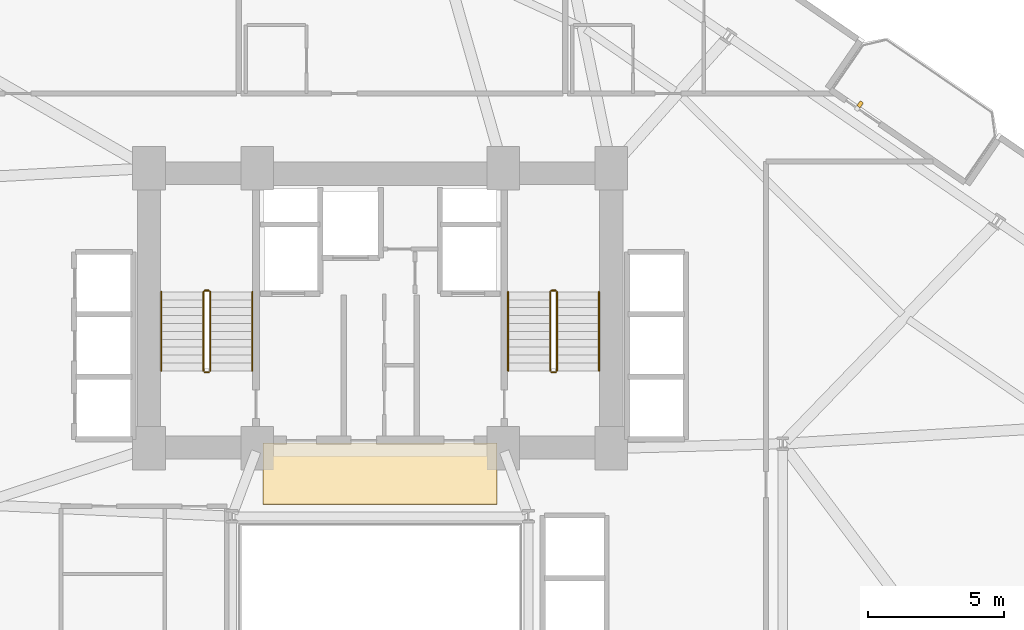
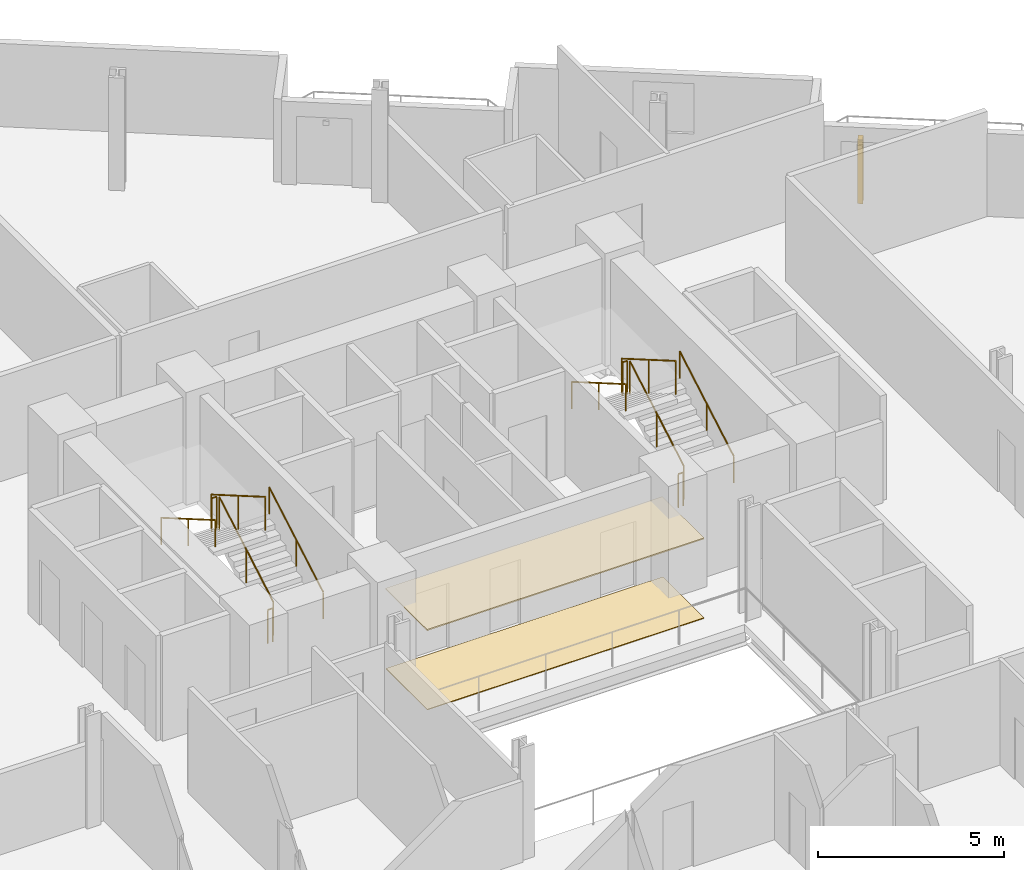
# One storey, part 24 of 25: 12 railings, 2 coverings, 1 shading device.
"""IFC4 building model written with IfcOpenShell, lengths in metres."""

import ifcopenshell
import ifcopenshell.guid

model = None  # the IFC model being written
_history = None  # IfcOwnerHistory: only IFC2X3 demands one
_inside = {}  # id of a spatial element -> (the spatial element, [elements in it])
_under = {}  # id of a project, library or spatial element -> (it, [spatial elements below it])
_declared = {}  # id of a project -> (the project, [libraries it declares])
_typed = {}  # id of a type object -> (the type object, [elements of that type])
_made_of = {}  # id of a material, layer set ... -> (it, [elements and type objects made of it])


def new_model(schema):
    """Start an empty IFC model of exactly this schema.

    Asked for "IFC4X3", IfcOpenShell would pick the latest addendum, in which some entities
    have other attributes; the version numbers below select the first issue.
    IFC2X3 requires an IfcOwnerHistory on every rooted entity: one is made here for all.
    """
    global model, _history
    if schema == "IFC4X3":
        model = ifcopenshell.file(schema_version=(4, 3, 0, 0))
    else:
        model = ifcopenshell.file(schema=schema)
    _inside.clear()
    _under.clear()
    _declared.clear()
    _typed.clear()
    _made_of.clear()
    _history = None
    if model.schema == "IFC2X3":
        org = make("IfcOrganization", Name="unknown")
        user = make(
            "IfcPersonAndOrganization",
            ThePerson=make("IfcPerson", FamilyName="unknown"),
            TheOrganization=org,
        )
        app = make(
            "IfcApplication",
            ApplicationDeveloper=org,
            Version="unknown",
            ApplicationFullName="unknown",
            ApplicationIdentifier="unknown",
        )
        _history = make(
            "IfcOwnerHistory",
            OwningUser=user,
            OwningApplication=app,
            ChangeAction="ADDED",
            CreationDate=0,
        )
    return model


def make(cls, **values):
    """One entity of the class cls with the attributes given. An attribute that is None is left unset."""
    return model.create_entity(
        cls, **{name: value for name, value in values.items() if value is not None}
    )


def rooted(cls, **values):
    """An entity with a GlobalId (a new one), such as an element, a storey or a relation."""
    return make(cls, GlobalId=ifcopenshell.guid.new(), OwnerHistory=_history, **values)


def si_unit(unit_type, name, prefix=None):
    """IfcSIUnit, for example si_unit("LENGTHUNIT", "METRE", prefix="MILLI")."""
    return make("IfcSIUnit", UnitType=unit_type, Prefix=prefix, Name=name)


def assignment(units):
    """IfcUnitAssignment: the units of a project."""
    return None if units is None else make("IfcUnitAssignment", Units=units)


def point(xyz):
    """IfcCartesianPoint."""
    return None if xyz is None else make("IfcCartesianPoint", Coordinates=xyz)


def direction(xyz):
    """IfcDirection."""
    return None if xyz is None else make("IfcDirection", DirectionRatios=xyz)


def frame(location, z_axis=None, x_axis=None):
    """IfcAxis2Placement3D, a coordinate frame: its origin and axes. An axis left out is left unset."""
    return make(
        "IfcAxis2Placement3D",
        Location=point(location),
        Axis=direction(z_axis),
        RefDirection=direction(x_axis),
    )


def frame_2d(location, x_axis=None):
    """IfcAxis2Placement2D, a coordinate frame in the plane: its origin and x axis."""
    return make(
        "IfcAxis2Placement2D", Location=point(location), RefDirection=direction(x_axis)
    )


def origin():
    """The frame at (0, 0, 0) with its axes left unset."""
    return frame((0.0, 0.0, 0.0))


def origin_2d():
    """The frame at (0, 0) in the plane with its x axis left unset."""
    return frame_2d((0.0, 0.0))


def place(relative_to, where):
    """IfcLocalPlacement: puts the frame where relative to a parent placement (None: the world)."""
    return make(
        "IfcLocalPlacement", PlacementRelTo=relative_to, RelativePlacement=where
    )


def context(
    kind, dimensions, precision=None, world=None, true_north=None, identifier=None
):
    """IfcGeometricRepresentationContext, for example the 3D "Model" context."""
    return make(
        "IfcGeometricRepresentationContext",
        ContextIdentifier=identifier,
        ContextType=kind,
        CoordinateSpaceDimension=dimensions,
        Precision=precision,
        WorldCoordinateSystem=world,
        TrueNorth=true_north,
    )


def subcontext(parent, identifier, kind, view, scale=None):
    """IfcGeometricRepresentationSubContext, for example "Body" below "Model"."""
    return make(
        "IfcGeometricRepresentationSubContext",
        ContextIdentifier=identifier,
        ContextType=kind,
        ParentContext=parent,
        TargetScale=scale,
        TargetView=view,
    )


def project(units=None, contexts=None):
    """IfcProject with its units and contexts."""
    return rooted(
        "IfcProject",
        Name="project",
        RepresentationContexts=contexts,
        UnitsInContext=assignment(units),
    )


def spatial(cls, under=None, at=None, **own):
    """A site, building, storey or space (cls), placed at a placement, below another one or the project."""
    s = rooted(cls, ObjectPlacement=at, **own)
    if under is not None:
        _under.setdefault(under.id(), (under, []))[1].append(s)
    return s


def profile(cls, at=None, kind="AREA", **sizes):
    """A parametric profile (cls). Its sizes go by their IFC names, for example OverallWidth=200.0."""
    return make(cls, ProfileType=kind, Position=at, **sizes)


def rectangle(**sizes):
    """IfcRectangleProfileDef."""
    return profile("IfcRectangleProfileDef", **sizes)


def circle(**sizes):
    """IfcCircleProfileDef."""
    return profile("IfcCircleProfileDef", **sizes)


def extrude(swept, where, along, depth):
    """IfcExtrudedAreaSolid: the profile swept, set in the frame where, extruded along a direction by depth."""
    return make(
        "IfcExtrudedAreaSolid",
        SweptArea=swept,
        Position=where,
        ExtrudedDirection=direction(along),
        Depth=depth,
    )


def shape(context_of_items, identifier, shape_type, items):
    """IfcShapeRepresentation: the items that make up one representation, for example the "Body"."""
    return make(
        "IfcShapeRepresentation",
        ContextOfItems=context_of_items,
        RepresentationIdentifier=identifier,
        RepresentationType=shape_type,
        Items=items,
    )


def source(mapping_origin, context_of_items, identifier, shape_type, items):
    """IfcRepresentationMap: a shape defined once, which mapped items show again and again."""
    return make(
        "IfcRepresentationMap",
        MappingOrigin=mapping_origin,
        MappedRepresentation=shape(context_of_items, identifier, shape_type, items),
    )


def transform(
    local_origin,
    x_axis=None,
    y_axis=None,
    z_axis=None,
    scale=None,
    scale2=None,
    scale3=None,
    uniform=True,
):
    """IfcCartesianTransformationOperator3D, or its non-uniform kind. x_axis, y_axis, z_axis: its Axis1, 2, 3."""
    if uniform:
        return make(
            "IfcCartesianTransformationOperator3D",
            Axis1=direction(x_axis),
            Axis2=direction(y_axis),
            LocalOrigin=point(local_origin),
            Scale=scale,
            Axis3=direction(z_axis),
        )
    return make(
        "IfcCartesianTransformationOperator3DnonUniform",
        Axis1=direction(x_axis),
        Axis2=direction(y_axis),
        LocalOrigin=point(local_origin),
        Scale=scale,
        Axis3=direction(z_axis),
        Scale2=scale2,
        Scale3=scale3,
    )


def mapped(mapping_source, mapping_target):
    """IfcMappedItem: shows the shape of a source again, moved by a transform."""
    return make(
        "IfcMappedItem", MappingSource=mapping_source, MappingTarget=mapping_target
    )


def material(Name=None, Category=None):
    """IfcMaterial."""
    return make("IfcMaterial", Name=Name, Category=Category)


def layer(
    of_material, thickness, ventilated=None, Name=None, Category=None, Priority=None
):
    """IfcMaterialLayer: one layer of a wall or slab, of a material (None: an air gap)."""
    return make(
        "IfcMaterialLayer",
        Material=of_material,
        LayerThickness=thickness,
        IsVentilated=ventilated,
        Name=Name,
        Category=Category,
        Priority=Priority,
    )


def layer_set(layers, Name=None):
    """IfcMaterialLayerSet."""
    return make("IfcMaterialLayerSet", MaterialLayers=layers, LayerSetName=Name)


def made_of(thing, what):
    """Note that an element or type object is made of a material, layer set ...; save() writes the relation."""
    if what is not None:
        _made_of.setdefault(what.id(), (what, []))[1].append(thing)
    return thing


def type_object(cls, material=None, **own):
    """A type object (cls), such as IfcWallType, which elements share."""
    return made_of(rooted(cls, **own), material)


def element(
    cls,
    number,
    at=None,
    inside=None,
    cuts=None,
    type_object=None,
    material=None,
    context=None,
    identifier="Body",
    shape_type=None,
    held_by="IfcProductDefinitionShape",
    body=None,
    shapes=None,
    **own,
):
    """One element of the class cls, such as IfcWall. Its Tag is "e" and its number.

    at: its placement. inside: the storey or other place that contains it. cuts: it is an
    opening in that element (IfcRelVoidsElement). A single representation is given by context,
    identifier, shape_type and body (its items); several are given by shapes. held_by: the class
    of the entity that holds the representations. save() writes the other relations.
    """
    e = rooted(cls, Tag="e%d" % number, ObjectPlacement=at, **own)
    if body is not None:
        shapes = [shape(context, identifier, shape_type, body)]
    if shapes is not None:
        e.Representation = make(held_by, Representations=shapes)
    if inside is not None:
        _inside.setdefault(inside.id(), (inside, []))[1].append(e)
    if cuts is not None:
        rooted(
            "IfcRelVoidsElement", RelatingBuildingElement=cuts, RelatedOpeningElement=e
        )
    if type_object is not None:
        _typed.setdefault(type_object.id(), (type_object, []))[1].append(e)
    return made_of(e, material)


def aggregate(whole, parts):
    """IfcRelAggregates: a whole, such as a stair, and the parts it consists of."""
    return rooted("IfcRelAggregates", RelatingObject=whole, RelatedObjects=parts)


def save(model, path):
    """Write the relations noted so far, then the file.

    IfcRelAggregates (storeys below a building ...), IfcRelContainedInSpatialStructure (elements
    in a storey), IfcRelDefinesByType, IfcRelAssociatesMaterial and IfcRelDeclares: one each for
    every whole, place, type object, material and project.
    """
    for whole, parts in _under.values():
        aggregate(whole, parts)
    for where, things in _inside.values():
        rooted(
            "IfcRelContainedInSpatialStructure",
            RelatedElements=things,
            RelatingStructure=where,
        )
    for kind, things in _typed.values():
        rooted("IfcRelDefinesByType", RelatedObjects=things, RelatingType=kind)
    for what, things in _made_of.values():
        rooted("IfcRelAssociatesMaterial", RelatedObjects=things, RelatingMaterial=what)
    for by, libraries in _declared.values():
        rooted("IfcRelDeclares", RelatingContext=by, RelatedDefinitions=libraries)
    model.write(path)


model = new_model("IFC4")

# Units and contexts
model_context = context("Model", 3, precision=1e-05, world=origin(), true_north=direction((0.0, 1.0)))
body_context = subcontext(model_context, "Body", "Model", "MODEL_VIEW")
ifc_project = project(units=[si_unit("LENGTHUNIT", "METRE"), si_unit("AREAUNIT", "SQUARE_METRE"), si_unit("VOLUMEUNIT", "CUBIC_METRE"), si_unit("PLANEANGLEUNIT", "RADIAN"), si_unit("MASSUNIT", "GRAM", prefix="KILO")], contexts=[model_context])

# Site, building, storey
site_placement = place(None, origin())
site = spatial("IfcSite", under=ifc_project, at=site_placement, CompositionType="ELEMENT")
building_placement = place(site_placement, origin())
building = spatial("IfcBuilding", under=site, at=building_placement, Name="Varnelok Gate Tower", CompositionType="ELEMENT")
storey_placement = place(building_placement, frame((0.0, 0.0, 52.89990234375)))
storey = spatial("IfcBuildingStorey", under=building, at=storey_placement, Name="L12", CompositionType="ELEMENT", Elevation=52.89990234375)

# Railings
ifc_material_1 = material(Name="Brushed Stainless Steel AISI 316", Category="steel")
railing_type_1 = type_object("IfcRailingType", Name="RL-HANDRAIL-900", PredefinedType="HANDRAIL", material=ifc_material_1)
railing_1_placement = place(storey_placement, frame((34.5, 31.60009765625, 0.168212890625)))
element("IfcRailing", 1, at=railing_1_placement, inside=storey, type_object=railing_type_1, Name="L12 ST-1 stair handrail 1", PredefinedType="HANDRAIL", context=body_context, shape_type="SweptSolid", body=[
    extrude(circle(Radius=0.02392578125, at=origin_2d()), frame((0.0, 0.0, 0.8759765625), z_axis=(0.0, 0.865038774852, 0.501705010941), x_axis=(-1.0, 0.0, 0.0)), (0.0, 0.0, 1.0), 3.352294921875),
    extrude(circle(Radius=0.02099609375, at=origin_2d()), origin(), (0.0, 0.0, 1.0), 0.851806640625),
    extrude(circle(Radius=0.02099609375, at=origin_2d()), frame((0.0, 1.449951171875, 0.8408203125)), (0.0, 0.0, 1.0), 0.851806640625),
    extrude(circle(Radius=0.02099609375, at=origin_2d()), frame((0.0, 2.89990234375, 1.681884765625)), (0.0, 0.0, 1.0), 0.851806640625),
])
railing_2_placement = place(storey_placement, frame((31.14990234375, 34.5, 2.018310546875)))
element("IfcRailing", 2, at=railing_2_placement, inside=storey, type_object=railing_type_1, Name="L12 ST-1 stair handrail 2", PredefinedType="HANDRAIL", context=body_context, shape_type="SweptSolid", body=[
    extrude(circle(Radius=0.02392578125, at=origin_2d()), frame((0.0, 0.0, 0.8759765625), z_axis=(0.0, -0.865038774852, 0.501705010941), x_axis=(1.0, 0.0, 0.0)), (0.0, 0.0, 1.0), 3.352294921875),
    extrude(circle(Radius=0.02099609375, at=origin_2d()), origin(), (0.0, 0.0, 1.0), 0.851806640625),
    extrude(circle(Radius=0.02099609375, at=origin_2d()), frame((0.0, -1.449951171875, 0.8408203125)), (0.0, 0.0, 1.0), 0.851806640625),
    extrude(circle(Radius=0.02099609375, at=origin_2d()), frame((0.0, -2.89990234375, 1.681884765625)), (0.0, 0.0, 1.0), 0.851806640625),
])
railing_3_placement = place(storey_placement, frame((47.25, 31.60009765625, 0.168212890625)))
element("IfcRailing", 3, at=railing_3_placement, inside=storey, type_object=railing_type_1, Name="L12 ST-2 stair handrail 1", PredefinedType="HANDRAIL", context=body_context, shape_type="SweptSolid", body=[
    extrude(circle(Radius=0.02392578125, at=origin_2d()), frame((0.0, 0.0, 0.8759765625), z_axis=(0.0, 0.865038774852, 0.501705010941), x_axis=(-1.0, 0.0, 0.0)), (0.0, 0.0, 1.0), 3.352294921875),
    extrude(circle(Radius=0.02099609375, at=origin_2d()), origin(), (0.0, 0.0, 1.0), 0.851806640625),
    extrude(circle(Radius=0.02099609375, at=origin_2d()), frame((0.0, 1.449951171875, 0.8408203125)), (0.0, 0.0, 1.0), 0.851806640625),
    extrude(circle(Radius=0.02099609375, at=origin_2d()), frame((0.0, 2.89990234375, 1.681884765625)), (0.0, 0.0, 1.0), 0.851806640625),
])
railing_4_placement = place(storey_placement, frame((43.89990234375, 34.5, 2.018310546875)))
element("IfcRailing", 4, at=railing_4_placement, inside=storey, type_object=railing_type_1, Name="L12 ST-2 stair handrail 2", PredefinedType="HANDRAIL", context=body_context, shape_type="SweptSolid", body=[
    extrude(circle(Radius=0.02392578125, at=origin_2d()), frame((0.0, 0.0, 0.8759765625), z_axis=(0.0, -0.865038774852, 0.501705010941), x_axis=(1.0, 0.0, 0.0)), (0.0, 0.0, 1.0), 3.352294921875),
    extrude(circle(Radius=0.02099609375, at=origin_2d()), origin(), (0.0, 0.0, 1.0), 0.851806640625),
    extrude(circle(Radius=0.02099609375, at=origin_2d()), frame((0.0, -1.449951171875, 0.8408203125)), (0.0, 0.0, 1.0), 0.851806640625),
    extrude(circle(Radius=0.02099609375, at=origin_2d()), frame((0.0, -2.89990234375, 1.681884765625)), (0.0, 0.0, 1.0), 0.851806640625),
])
ifc_material_2 = material(Name="Galvanized Steel Grade S350GD", Category="steel")
railing_type_2 = type_object("IfcRailingType", Name="RL-STAIR-GUARD1120", PredefinedType="GUARDRAIL", material=ifc_material_2)
railing_5_placement = place(storey_placement, frame((32.949951171875, 31.60009765625, 0.168212890625)))
element("IfcRailing", 5, at=railing_5_placement, inside=storey, type_object=railing_type_2, Name="L12 ST-1 stair guard 1", PredefinedType="GUARDRAIL", context=body_context, shape_type="SweptSolid", body=[
    extrude(circle(Radius=0.02392578125, at=origin_2d()), frame((0.0, 0.0, 1.09619140625), z_axis=(0.0, 0.865038774852, 0.501705010941), x_axis=(-1.0, 0.0, 0.0)), (0.0, 0.0, 1.0), 3.352294921875),
    extrude(circle(Radius=0.02099609375, at=origin_2d()), origin(), (0.0, 0.0, 1.0), 1.072021484375),
    extrude(circle(Radius=0.02099609375, at=origin_2d()), frame((0.0, 1.449951171875, 0.8408203125)), (0.0, 0.0, 1.0), 1.072021484375),
    extrude(circle(Radius=0.02099609375, at=origin_2d()), frame((0.0, 2.89990234375, 1.681884765625)), (0.0, 0.0, 1.0), 1.072021484375),
])
railing_6_placement = place(storey_placement, frame((32.89990234375, 34.550048828125, 1.85009765625)))
element("IfcRailing", 6, at=railing_6_placement, inside=storey, type_object=railing_type_2, Name="L12 ST-1 stair guard 2", PredefinedType="GUARDRAIL", context=body_context, shape_type="SweptSolid", body=[
    extrude(circle(Radius=0.02392578125, at=origin_2d()), frame((0.0, 0.0, 1.09619140625), z_axis=(-1.0, 0.0, 0.0), x_axis=(0.0, -1.0, 0.0)), (0.0, 0.0, 1.0), 0.14990234375),
    extrude(circle(Radius=0.02099609375, at=origin_2d()), origin(), (0.0, 0.0, 1.0), 1.072021484375),
    extrude(circle(Radius=0.02099609375, at=origin_2d()), frame((-0.14990234375, 0.0, 0.0)), (0.0, 0.0, 1.0), 1.072021484375),
])
railing_7_placement = place(storey_placement, frame((32.699951171875, 34.5, 2.018310546875)))
element("IfcRailing", 7, at=railing_7_placement, inside=storey, type_object=railing_type_2, Name="L12 ST-1 stair guard 3", PredefinedType="GUARDRAIL", context=body_context, shape_type="SweptSolid", body=[
    extrude(circle(Radius=0.02392578125, at=origin_2d()), frame((0.0, 0.0, 1.09619140625), z_axis=(0.0, -0.865038774852, 0.501705010941), x_axis=(1.0, 0.0, 0.0)), (0.0, 0.0, 1.0), 3.352294921875),
    extrude(circle(Radius=0.02099609375, at=origin_2d()), origin(), (0.0, 0.0, 1.0), 1.072021484375),
    extrude(circle(Radius=0.02099609375, at=origin_2d()), frame((0.0, -1.449951171875, 0.8408203125)), (0.0, 0.0, 1.0), 1.072021484375),
    extrude(circle(Radius=0.02099609375, at=origin_2d()), frame((0.0, -2.89990234375, 1.681884765625)), (0.0, 0.0, 1.0), 1.072021484375),
])
railing_8_placement = place(storey_placement, frame((32.89990234375, 31.550048828125, 0.0)))
element("IfcRailing", 8, at=railing_8_placement, inside=storey, type_object=railing_type_2, Name="L12 ST-1 stair guard 4", PredefinedType="GUARDRAIL", context=body_context, shape_type="SweptSolid", body=[
    extrude(circle(Radius=0.02392578125, at=origin_2d()), frame((0.0, 0.0, 1.09619140625), z_axis=(-1.0, 0.0, 0.0), x_axis=(0.0, -1.0, 0.0)), (0.0, 0.0, 1.0), 0.14990234375),
    extrude(circle(Radius=0.02099609375, at=origin_2d()), origin(), (0.0, 0.0, 1.0), 1.072021484375),
    extrude(circle(Radius=0.02099609375, at=origin_2d()), frame((-0.14990234375, 0.0, 0.0)), (0.0, 0.0, 1.0), 1.072021484375),
])
railing_9_placement = place(storey_placement, frame((45.699951171875, 31.60009765625, 0.168212890625)))
element("IfcRailing", 9, at=railing_9_placement, inside=storey, type_object=railing_type_2, Name="L12 ST-2 stair guard 1", PredefinedType="GUARDRAIL", context=body_context, shape_type="SweptSolid", body=[
    extrude(circle(Radius=0.02392578125, at=origin_2d()), frame((0.0, 0.0, 1.09619140625), z_axis=(0.0, 0.865038774852, 0.501705010941), x_axis=(-1.0, 0.0, 0.0)), (0.0, 0.0, 1.0), 3.352294921875),
    extrude(circle(Radius=0.02099609375, at=origin_2d()), origin(), (0.0, 0.0, 1.0), 1.072021484375),
    extrude(circle(Radius=0.02099609375, at=origin_2d()), frame((0.0, 1.449951171875, 0.8408203125)), (0.0, 0.0, 1.0), 1.072021484375),
    extrude(circle(Radius=0.02099609375, at=origin_2d()), frame((0.0, 2.89990234375, 1.681884765625)), (0.0, 0.0, 1.0), 1.072021484375),
])
railing_10_placement = place(storey_placement, frame((45.64990234375, 34.550048828125, 1.85009765625)))
element("IfcRailing", 10, at=railing_10_placement, inside=storey, type_object=railing_type_2, Name="L12 ST-2 stair guard 2", PredefinedType="GUARDRAIL", context=body_context, shape_type="SweptSolid", body=[
    extrude(circle(Radius=0.02392578125, at=origin_2d()), frame((0.0, 0.0, 1.09619140625), z_axis=(-1.0, 0.0, 0.0), x_axis=(0.0, -1.0, 0.0)), (0.0, 0.0, 1.0), 0.14990234375),
    extrude(circle(Radius=0.02099609375, at=origin_2d()), origin(), (0.0, 0.0, 1.0), 1.072021484375),
    extrude(circle(Radius=0.02099609375, at=origin_2d()), frame((-0.14990234375, 0.0, 0.0)), (0.0, 0.0, 1.0), 1.072021484375),
])
railing_11_placement = place(storey_placement, frame((45.449951171875, 34.5, 2.018310546875)))
element("IfcRailing", 11, at=railing_11_placement, inside=storey, type_object=railing_type_2, Name="L12 ST-2 stair guard 3", PredefinedType="GUARDRAIL", context=body_context, shape_type="SweptSolid", body=[
    extrude(circle(Radius=0.02392578125, at=origin_2d()), frame((0.0, 0.0, 1.09619140625), z_axis=(0.0, -0.865038774852, 0.501705010941), x_axis=(1.0, 0.0, 0.0)), (0.0, 0.0, 1.0), 3.352294921875),
    extrude(circle(Radius=0.02099609375, at=origin_2d()), origin(), (0.0, 0.0, 1.0), 1.072021484375),
    extrude(circle(Radius=0.02099609375, at=origin_2d()), frame((0.0, -1.449951171875, 0.8408203125)), (0.0, 0.0, 1.0), 1.072021484375),
    extrude(circle(Radius=0.02099609375, at=origin_2d()), frame((0.0, -2.89990234375, 1.681884765625)), (0.0, 0.0, 1.0), 1.072021484375),
])
railing_12_placement = place(storey_placement, frame((45.64990234375, 31.550048828125, 0.0)))
element("IfcRailing", 12, at=railing_12_placement, inside=storey, type_object=railing_type_2, Name="L12 ST-2 stair guard 4", PredefinedType="GUARDRAIL", context=body_context, shape_type="SweptSolid", body=[
    extrude(circle(Radius=0.02392578125, at=origin_2d()), frame((0.0, 0.0, 1.09619140625), z_axis=(-1.0, 0.0, 0.0), x_axis=(0.0, -1.0, 0.0)), (0.0, 0.0, 1.0), 0.14990234375),
    extrude(circle(Radius=0.02099609375, at=origin_2d()), origin(), (0.0, 0.0, 1.0), 1.072021484375),
    extrude(circle(Radius=0.02099609375, at=origin_2d()), frame((-0.14990234375, 0.0, 0.0)), (0.0, 0.0, 1.0), 1.072021484375),
])

# Shading device
ifc_material_3 = material(Name="Glazed Architectural Terracotta Ceramic", Category="masonry")
shading_device_type = type_object("IfcShadingDeviceType", Name="SHD-TERRA-BAGUETTE", PredefinedType="USERDEFINED", material=ifc_material_3)
shared_shape_1 = source(origin(), body_context, "Body", "SweptSolid", [
    extrude(rectangle(XDim=0.139892578125, YDim=0.219970703125, at=origin_2d()), origin(), (0.0, 0.0, 1.0), 2.10009765625),
])
shading_device_placement = place(storey_placement, frame((56.847412109375, 41.400390625, 0.10009765625), z_axis=(0.0, 0.0, 1.0), x_axis=(0.823532597628, -0.567268949127, 0.0)))
element("IfcShadingDevice", 13, at=shading_device_placement, inside=storey, type_object=shading_device_type, Name="L12 Terracotta Ceramic Baguette Sunscreen 4.1", ObjectType="BAGUETTE", PredefinedType="USERDEFINED", context=body_context, shape_type="MappedRepresentation", body=[
    mapped(shared_shape_1, transform((0.0, 0.0, 0.0), scale=1.0)),
])

# Coverings
ifc_material_4 = material(Name="Honed Travertine Stone Flooring", Category="masonry")
ifc_layer_1 = layer(ifc_material_4, 0.02490234375)
ifc_layer_set_1 = layer_set([ifc_layer_1], Name="Honed Travertine Stone Flooring")
covering_type_1 = type_object("IfcCoveringType", Name="COV-FLOR-STONE", PredefinedType="FLOORING", material=ifc_layer_set_1)
shared_shape_2 = source(origin(), body_context, "Body", "SweptSolid", [
    extrude(rectangle(XDim=8.60009765625, YDim=2.219970703125, at=origin_2d()), origin(), (0.0, 0.0, 1.0), 0.02490234375),
])
covering_1_placement = place(storey_placement, frame((39.199951171875, 27.800048828125, 0.000244140625), z_axis=(0.0, 0.0, 1.0), x_axis=(1.0, 0.0, 0.0)))
element("IfcCovering", 14, at=covering_1_placement, inside=storey, type_object=covering_type_1, Name="L12 Core Gallery Stone Flooring", PredefinedType="FLOORING", context=body_context, shape_type="MappedRepresentation", body=[
    mapped(shared_shape_2, transform((0.0, 0.0, 0.0), scale=1.0)),
])
ifc_material_5 = material(Name="Mineral Fiber Acoustic Ceiling Tile")
ifc_layer_2 = layer(ifc_material_5, 0.0400390625)
ifc_layer_set_2 = layer_set([ifc_layer_2], Name="Mineral Fiber Acoustic Ceiling Tile")
covering_type_2 = type_object("IfcCoveringType", Name="COV-CEIL-ACOUST", PredefinedType="CEILING", material=ifc_layer_set_2)
shared_shape_3 = source(origin(), body_context, "Body", "SweptSolid", [
    extrude(rectangle(XDim=8.60009765625, YDim=2.239990234375, at=origin_2d()), origin(), (0.0, 0.0, 1.0), 0.0400390625),
])
covering_2_placement = place(storey_placement, frame((39.199951171875, 27.820068359375, 2.60009765625), z_axis=(0.0, 0.0, 1.0), x_axis=(1.0, 0.0, 0.0)))
element("IfcCovering", 15, at=covering_2_placement, inside=storey, type_object=covering_type_2, Name="L12 Core Gallery Acoustic Ceiling", PredefinedType="CEILING", context=body_context, shape_type="MappedRepresentation", body=[
    mapped(shared_shape_3, transform((0.0, 0.0, 0.0), scale=1.0)),
])

save(model, "model.ifc")
